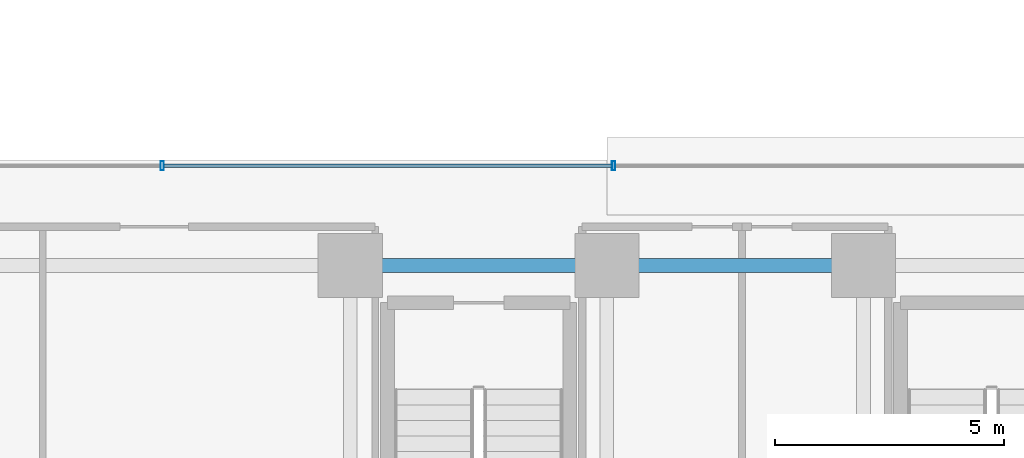
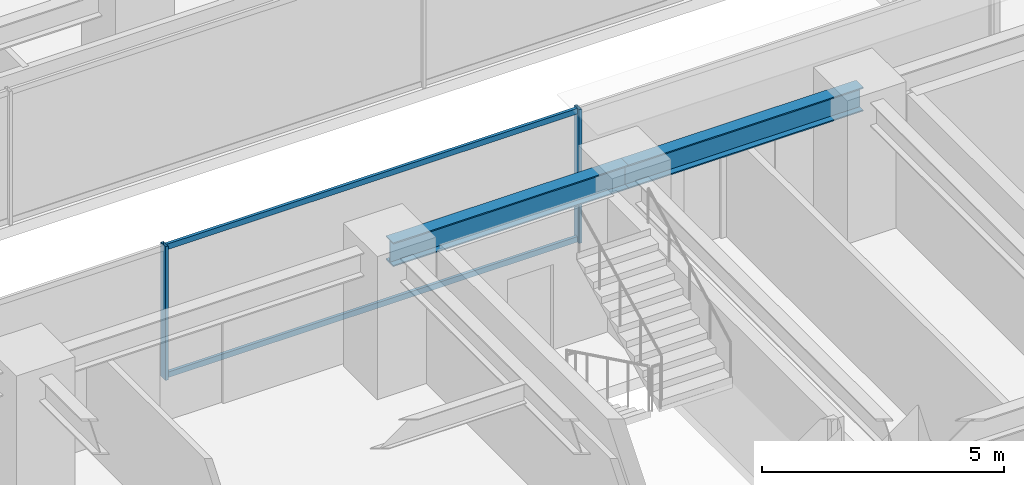
# One storey, part 11 of 42: 4 members, 2 beams, 1 element without a shape of its own.
"""IFC4 building model written with IfcOpenShell, lengths in metres."""

from ifc_helpers import new_model, si_unit, direction, frame, origin, origin_2d, place, context, subcontext, project, spatial, hollow_rectangle, i_section, extrude, source, transform, mapped, material, material_profile, profile_set, type_object, element, aggregate, save


model = new_model("IFC4")

# Units and contexts
model_context = context("Model", 3, precision=1e-05, world=origin(), true_north=direction((0.0, 1.0)))
body_context = subcontext(model_context, "Body", "Model", "MODEL_VIEW")
ifc_project = project(units=[si_unit("LENGTHUNIT", "METRE"), si_unit("AREAUNIT", "SQUARE_METRE"), si_unit("VOLUMEUNIT", "CUBIC_METRE"), si_unit("PLANEANGLEUNIT", "RADIAN"), si_unit("MASSUNIT", "GRAM", prefix="KILO")], contexts=[model_context])

# Site, building, storey
site_placement = place(None, origin())
site = spatial("IfcSite", under=ifc_project, at=site_placement, CompositionType="ELEMENT")
building_placement = place(site_placement, origin())
building = spatial("IfcBuilding", under=site, at=building_placement, Name="Nahalor Promenade Grand Hotel", CompositionType="ELEMENT")
storey_placement = place(building_placement, frame((0.0, 0.0, 61.60009765625)))
storey = spatial("IfcBuildingStorey", under=building, at=storey_placement, Name="L14", CompositionType="ELEMENT", Elevation=61.60009765625)

# Beams
ifc_material_1 = material(Name="Steel S355JR", Category="steel")
ifc_material_profile_1 = material_profile(ifc_material_1, i_section(OverallWidth=0.3, OverallDepth=0.6, WebThickness=0.0155, FlangeThickness=0.03, at=origin_2d()), Name="HEB 600")
ifc_profile_set_1 = profile_set([ifc_material_profile_1], Name="Steel S355JR")
beam_type = type_object("IfcBeamType", Name="Beam-Girder-HEB600", PredefinedType="BEAM", material=ifc_profile_set_1)
shared_shape_1 = source(origin(), body_context, "Body", "SweptSolid", [
    extrude(i_section(OverallWidth=0.3, OverallDepth=0.6, WebThickness=0.0155, FlangeThickness=0.03, at=origin_2d()), origin(), (0.0, 0.0, 1.0), 5.599853515625),
])
beam_1_placement = place(storey_placement, frame((-8.39990234375, -5.39990234375, 3.06982421875), z_axis=(1.0, 0.0, 0.0), x_axis=(0.0, 1.0, 0.0)))
element("IfcBeam", 1, at=beam_1_placement, inside=storey, type_object=beam_type, Name="BM-L14-GX-1-2", PredefinedType="BEAM", context=body_context, shape_type="MappedRepresentation", body=[
    mapped(shared_shape_1, transform((0.0, 0.0, 0.0), scale=1.0)),
])
shared_shape_2 = source(origin(), body_context, "Body", "SweptSolid", [
    extrude(i_section(OverallWidth=0.3, OverallDepth=0.6, WebThickness=0.0155, FlangeThickness=0.03, at=origin_2d()), origin(), (0.0, 0.0, 1.0), 5.60009765625),
])
beam_2_placement = place(storey_placement, frame((-2.800048828125, -5.39990234375, 3.06982421875), z_axis=(1.0, 0.0, 0.0), x_axis=(0.0, 1.0, 0.0)))
element("IfcBeam", 2, at=beam_2_placement, inside=storey, type_object=beam_type, Name="BM-L14-GX-1-3", PredefinedType="BEAM", context=body_context, shape_type="MappedRepresentation", body=[
    mapped(shared_shape_2, transform((0.0, 0.0, 0.0), scale=1.0)),
])

# Curtain wall, members
ifc_material_2 = material(Name="Anodised Bronze Aluminium EN AW-6063 T6", Category="aluminium")
curtain_wall_type = type_object("IfcCurtainWallType", Name="CW3 Elliptical-Void Collar Unitised Curtain Wall", PredefinedType="USERDEFINED", material=ifc_material_2)
curtain_wall_placement = place(storey_placement, origin())
curtain_wall = element("IfcCurtainWall", 3, at=curtain_wall_placement, inside=storey, type_object=curtain_wall_type, Name="L14 Curtain Wall CW-L14-VOID-WS1", ObjectType="UNITISED_CURTAIN_WALL", PredefinedType="USERDEFINED")
ifc_material_profile_2 = material_profile(ifc_material_2, hollow_rectangle(XDim=0.07, YDim=0.2, WallThickness=0.005, at=origin_2d()), Name="CWM 70x200x5")
ifc_profile_set_2 = profile_set([ifc_material_profile_2], Name="Anodised Bronze Aluminium EN AW-6063 T6")
member_type_1 = type_object("IfcMemberType", Name="CWM3 Void Collar Mullion 70x200", PredefinedType="MULLION", material=ifc_profile_set_2)
shared_shape_3 = source(origin(), body_context, "Body", "SweptSolid", [
    extrude(hollow_rectangle(XDim=0.07, YDim=0.2, WallThickness=0.005, at=origin_2d()), origin(), (0.0, 0.0, 1.0), 3.369873046875),
])
member_1_placement = place(storey_placement, frame((-12.506591796875, -3.219970703125, 0.0), z_axis=(0.0, 0.0, 1.0), x_axis=(1.0, 0.0, 0.0)))
member_1 = element("IfcMember", 4, at=member_1_placement, type_object=member_type_1, Name="CW-L14-VOID-WS1 Mullion 1", PredefinedType="MULLION", context=body_context, shape_type="MappedRepresentation", body=[
    mapped(shared_shape_3, transform((0.0, 0.0, 0.0), scale=1.0)),
])
member_2_placement = place(storey_placement, frame((-2.6533203125, -3.219970703125, 0.0), z_axis=(0.0, 0.0, 1.0), x_axis=(1.0, 0.0, 0.0)))
member_2 = element("IfcMember", 5, at=member_2_placement, type_object=member_type_1, Name="CW-L14-VOID-WS1 Mullion 2", PredefinedType="MULLION", context=body_context, shape_type="MappedRepresentation", body=[
    mapped(shared_shape_3, transform((0.0, 0.0, 0.0), scale=1.0)),
])
ifc_material_profile_3 = material_profile(ifc_material_2, hollow_rectangle(XDim=0.07, YDim=0.14, WallThickness=0.004, at=origin_2d()), Name="CWT 70x140x4")
ifc_profile_set_3 = profile_set([ifc_material_profile_3], Name="Anodised Bronze Aluminium EN AW-6063 T6")
member_type_2 = type_object("IfcMemberType", Name="CWT3 Void Collar Transom 70x140", PredefinedType="USERDEFINED", material=ifc_profile_set_3)
shared_shape_4 = source(origin(), body_context, "Body", "SweptSolid", [
    extrude(hollow_rectangle(XDim=0.07, YDim=0.14, WallThickness=0.004, at=origin_2d()), origin(), (0.0, 0.0, 1.0), 9.783447265625),
])
member_3_placement = place(storey_placement, frame((-12.4716796875, -3.219970703125, 0.06982421875), z_axis=(1.0, 0.0, 0.0), x_axis=(0.0, 1.0, 0.0)))
member_3 = element("IfcMember", 6, at=member_3_placement, type_object=member_type_2, Name="CW-L14-VOID-WS1 Transom 1-0", ObjectType="TRANSOM", PredefinedType="USERDEFINED", context=body_context, shape_type="MappedRepresentation", body=[
    mapped(shared_shape_4, transform((0.0, 0.0, 0.0), scale=1.0)),
])
member_4_placement = place(storey_placement, frame((-12.4716796875, -3.219970703125, 3.2998046875), z_axis=(1.0, 0.0, 0.0), x_axis=(0.0, 1.0, 0.0)))
member_4 = element("IfcMember", 7, at=member_4_placement, type_object=member_type_2, Name="CW-L14-VOID-WS1 Transom 1-1", ObjectType="TRANSOM", PredefinedType="USERDEFINED", context=body_context, shape_type="MappedRepresentation", body=[
    mapped(shared_shape_4, transform((0.0, 0.0, 0.0), scale=1.0)),
])
aggregate(curtain_wall, [member_1, member_2, member_3, member_4])

save(model, "model.ifc")
